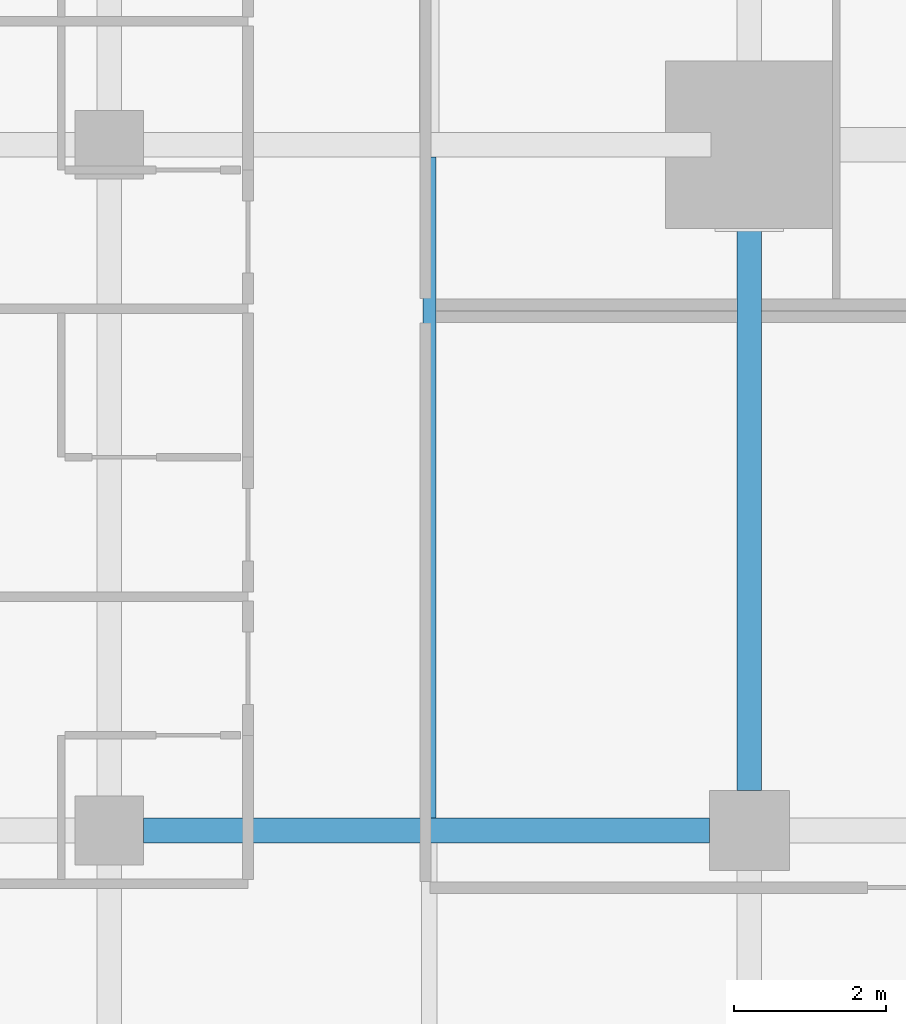
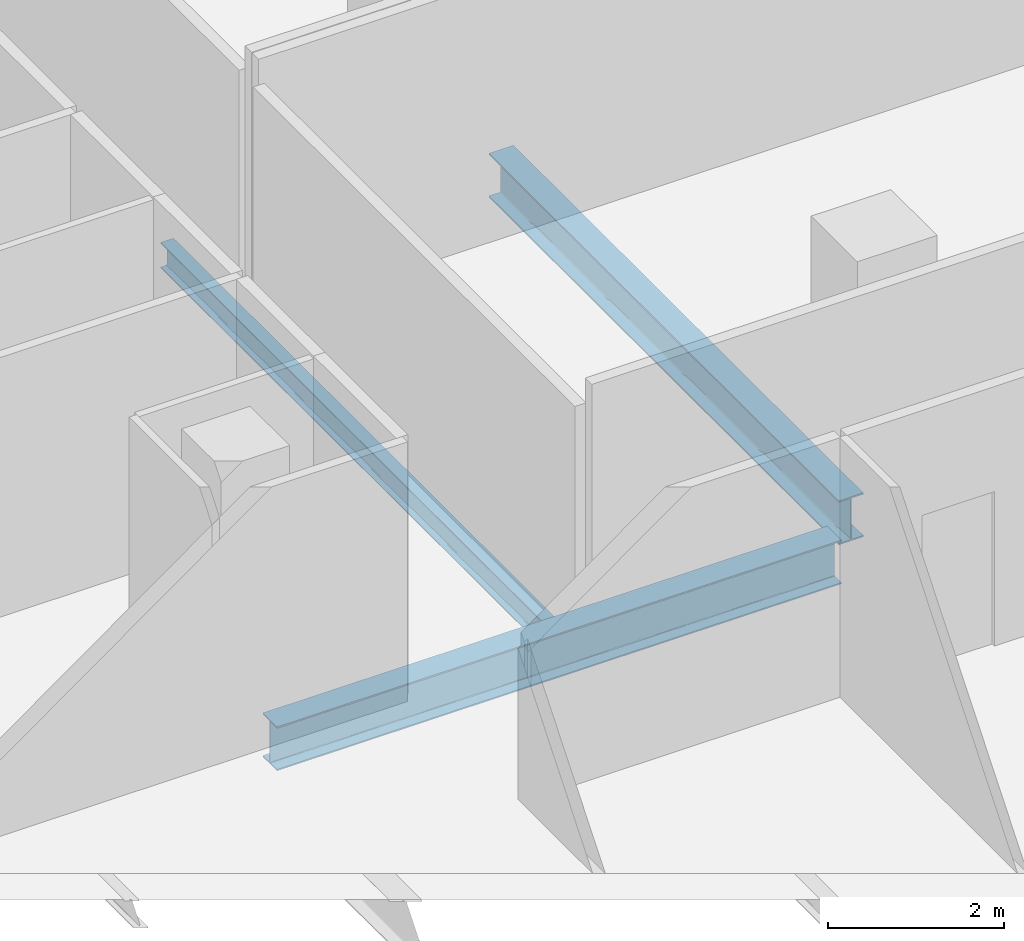
# One storey, part 11 of 40: 3 beams.
"""IFC4 building model written with IfcOpenShell, lengths in metres."""

import ifcopenshell
import ifcopenshell.guid

model = None  # the IFC model being written
_history = None  # IfcOwnerHistory: only IFC2X3 demands one
_inside = {}  # id of a spatial element -> (the spatial element, [elements in it])
_under = {}  # id of a project, library or spatial element -> (it, [spatial elements below it])
_declared = {}  # id of a project -> (the project, [libraries it declares])
_typed = {}  # id of a type object -> (the type object, [elements of that type])
_made_of = {}  # id of a material, layer set ... -> (it, [elements and type objects made of it])


def new_model(schema):
    """Start an empty IFC model of exactly this schema.

    Asked for "IFC4X3", IfcOpenShell would pick the latest addendum, in which some entities
    have other attributes; the version numbers below select the first issue.
    IFC2X3 requires an IfcOwnerHistory on every rooted entity: one is made here for all.
    """
    global model, _history
    if schema == "IFC4X3":
        model = ifcopenshell.file(schema_version=(4, 3, 0, 0))
    else:
        model = ifcopenshell.file(schema=schema)
    _inside.clear()
    _under.clear()
    _declared.clear()
    _typed.clear()
    _made_of.clear()
    _history = None
    if model.schema == "IFC2X3":
        org = make("IfcOrganization", Name="unknown")
        user = make(
            "IfcPersonAndOrganization",
            ThePerson=make("IfcPerson", FamilyName="unknown"),
            TheOrganization=org,
        )
        app = make(
            "IfcApplication",
            ApplicationDeveloper=org,
            Version="unknown",
            ApplicationFullName="unknown",
            ApplicationIdentifier="unknown",
        )
        _history = make(
            "IfcOwnerHistory",
            OwningUser=user,
            OwningApplication=app,
            ChangeAction="ADDED",
            CreationDate=0,
        )
    return model


def make(cls, **values):
    """One entity of the class cls with the attributes given. An attribute that is None is left unset."""
    return model.create_entity(
        cls, **{name: value for name, value in values.items() if value is not None}
    )


def rooted(cls, **values):
    """An entity with a GlobalId (a new one), such as an element, a storey or a relation."""
    return make(cls, GlobalId=ifcopenshell.guid.new(), OwnerHistory=_history, **values)


def si_unit(unit_type, name, prefix=None):
    """IfcSIUnit, for example si_unit("LENGTHUNIT", "METRE", prefix="MILLI")."""
    return make("IfcSIUnit", UnitType=unit_type, Prefix=prefix, Name=name)


def assignment(units):
    """IfcUnitAssignment: the units of a project."""
    return None if units is None else make("IfcUnitAssignment", Units=units)


def point(xyz):
    """IfcCartesianPoint."""
    return None if xyz is None else make("IfcCartesianPoint", Coordinates=xyz)


def direction(xyz):
    """IfcDirection."""
    return None if xyz is None else make("IfcDirection", DirectionRatios=xyz)


def frame(location, z_axis=None, x_axis=None):
    """IfcAxis2Placement3D, a coordinate frame: its origin and axes. An axis left out is left unset."""
    return make(
        "IfcAxis2Placement3D",
        Location=point(location),
        Axis=direction(z_axis),
        RefDirection=direction(x_axis),
    )


def frame_2d(location, x_axis=None):
    """IfcAxis2Placement2D, a coordinate frame in the plane: its origin and x axis."""
    return make(
        "IfcAxis2Placement2D", Location=point(location), RefDirection=direction(x_axis)
    )


def origin():
    """The frame at (0, 0, 0) with its axes left unset."""
    return frame((0.0, 0.0, 0.0))


def origin_2d():
    """The frame at (0, 0) in the plane with its x axis left unset."""
    return frame_2d((0.0, 0.0))


def place(relative_to, where):
    """IfcLocalPlacement: puts the frame where relative to a parent placement (None: the world)."""
    return make(
        "IfcLocalPlacement", PlacementRelTo=relative_to, RelativePlacement=where
    )


def context(
    kind, dimensions, precision=None, world=None, true_north=None, identifier=None
):
    """IfcGeometricRepresentationContext, for example the 3D "Model" context."""
    return make(
        "IfcGeometricRepresentationContext",
        ContextIdentifier=identifier,
        ContextType=kind,
        CoordinateSpaceDimension=dimensions,
        Precision=precision,
        WorldCoordinateSystem=world,
        TrueNorth=true_north,
    )


def subcontext(parent, identifier, kind, view, scale=None):
    """IfcGeometricRepresentationSubContext, for example "Body" below "Model"."""
    return make(
        "IfcGeometricRepresentationSubContext",
        ContextIdentifier=identifier,
        ContextType=kind,
        ParentContext=parent,
        TargetScale=scale,
        TargetView=view,
    )


def project(units=None, contexts=None):
    """IfcProject with its units and contexts."""
    return rooted(
        "IfcProject",
        Name="project",
        RepresentationContexts=contexts,
        UnitsInContext=assignment(units),
    )


def spatial(cls, under=None, at=None, **own):
    """A site, building, storey or space (cls), placed at a placement, below another one or the project."""
    s = rooted(cls, ObjectPlacement=at, **own)
    if under is not None:
        _under.setdefault(under.id(), (under, []))[1].append(s)
    return s


def profile(cls, at=None, kind="AREA", **sizes):
    """A parametric profile (cls). Its sizes go by their IFC names, for example OverallWidth=200.0."""
    return make(cls, ProfileType=kind, Position=at, **sizes)


def i_section(**sizes):
    """IfcIShapeProfileDef."""
    return profile("IfcIShapeProfileDef", **sizes)


def extrude(swept, where, along, depth):
    """IfcExtrudedAreaSolid: the profile swept, set in the frame where, extruded along a direction by depth."""
    return make(
        "IfcExtrudedAreaSolid",
        SweptArea=swept,
        Position=where,
        ExtrudedDirection=direction(along),
        Depth=depth,
    )


def shape(context_of_items, identifier, shape_type, items):
    """IfcShapeRepresentation: the items that make up one representation, for example the "Body"."""
    return make(
        "IfcShapeRepresentation",
        ContextOfItems=context_of_items,
        RepresentationIdentifier=identifier,
        RepresentationType=shape_type,
        Items=items,
    )


def material(Name=None, Category=None):
    """IfcMaterial."""
    return make("IfcMaterial", Name=Name, Category=Category)


def material_profile(
    of_material, cross_section, Name=None, Category=None, Priority=None
):
    """IfcMaterialProfile: a cross section and its material."""
    return make(
        "IfcMaterialProfile",
        Name=Name,
        Material=of_material,
        Profile=cross_section,
        Priority=Priority,
        Category=Category,
    )


def profile_set(profiles, Name=None, composite=None):
    """IfcMaterialProfileSet."""
    return make(
        "IfcMaterialProfileSet",
        Name=Name,
        MaterialProfiles=profiles,
        CompositeProfile=composite,
    )


def made_of(thing, what):
    """Note that an element or type object is made of a material, layer set ...; save() writes the relation."""
    if what is not None:
        _made_of.setdefault(what.id(), (what, []))[1].append(thing)
    return thing


def type_object(cls, material=None, **own):
    """A type object (cls), such as IfcWallType, which elements share."""
    return made_of(rooted(cls, **own), material)


def element(
    cls,
    number,
    at=None,
    inside=None,
    cuts=None,
    type_object=None,
    material=None,
    context=None,
    identifier="Body",
    shape_type=None,
    held_by="IfcProductDefinitionShape",
    body=None,
    shapes=None,
    **own,
):
    """One element of the class cls, such as IfcWall. Its Tag is "e" and its number.

    at: its placement. inside: the storey or other place that contains it. cuts: it is an
    opening in that element (IfcRelVoidsElement). A single representation is given by context,
    identifier, shape_type and body (its items); several are given by shapes. held_by: the class
    of the entity that holds the representations. save() writes the other relations.
    """
    e = rooted(cls, Tag="e%d" % number, ObjectPlacement=at, **own)
    if body is not None:
        shapes = [shape(context, identifier, shape_type, body)]
    if shapes is not None:
        e.Representation = make(held_by, Representations=shapes)
    if inside is not None:
        _inside.setdefault(inside.id(), (inside, []))[1].append(e)
    if cuts is not None:
        rooted(
            "IfcRelVoidsElement", RelatingBuildingElement=cuts, RelatedOpeningElement=e
        )
    if type_object is not None:
        _typed.setdefault(type_object.id(), (type_object, []))[1].append(e)
    return made_of(e, material)


def aggregate(whole, parts):
    """IfcRelAggregates: a whole, such as a stair, and the parts it consists of."""
    return rooted("IfcRelAggregates", RelatingObject=whole, RelatedObjects=parts)


def save(model, path):
    """Write the relations noted so far, then the file.

    IfcRelAggregates (storeys below a building ...), IfcRelContainedInSpatialStructure (elements
    in a storey), IfcRelDefinesByType, IfcRelAssociatesMaterial and IfcRelDeclares: one each for
    every whole, place, type object, material and project.
    """
    for whole, parts in _under.values():
        aggregate(whole, parts)
    for where, things in _inside.values():
        rooted(
            "IfcRelContainedInSpatialStructure",
            RelatedElements=things,
            RelatingStructure=where,
        )
    for kind, things in _typed.values():
        rooted("IfcRelDefinesByType", RelatedObjects=things, RelatingType=kind)
    for what, things in _made_of.values():
        rooted("IfcRelAssociatesMaterial", RelatedObjects=things, RelatingMaterial=what)
    for by, libraries in _declared.values():
        rooted("IfcRelDeclares", RelatingContext=by, RelatedDefinitions=libraries)
    model.write(path)


model = new_model("IFC4")

# Units and contexts
model_context = context("Model", 3, precision=1e-05, world=origin(), true_north=direction((0.0, 1.0)))
body_context = subcontext(model_context, "Body", "Model", "MODEL_VIEW")
ifc_project = project(units=[si_unit("LENGTHUNIT", "METRE"), si_unit("AREAUNIT", "SQUARE_METRE"), si_unit("VOLUMEUNIT", "CUBIC_METRE"), si_unit("PLANEANGLEUNIT", "RADIAN"), si_unit("MASSUNIT", "GRAM", prefix="KILO")], contexts=[model_context])

# Site, building, storey
site_placement = place(None, origin())
site = spatial("IfcSite", under=ifc_project, at=site_placement, CompositionType="ELEMENT")
building_placement = place(site_placement, origin())
building = spatial("IfcBuilding", under=site, at=building_placement, Name="Maruvema Waterfront Hotel and Observation Tower", CompositionType="ELEMENT")
storey_placement = place(building_placement, frame((0.0, 0.0, 103.949951171875)))
storey = spatial("IfcBuildingStorey", under=building, at=storey_placement, Name="L25", CompositionType="ELEMENT", Elevation=103.949951171875)

# Beams
ifc_material_1 = material(Name="Steel ASTM A572 Grade 50", Category="steel")
ifc_material_profile_1 = material_profile(ifc_material_1, i_section(OverallWidth=0.323974609375, OverallDepth=0.611083984375, WebThickness=0.0126953125, FlangeThickness=0.01904296875, FilletRadius=0.01806640625, at=origin_2d()), Name="W610x155.0")
ifc_profile_set_1 = profile_set([ifc_material_profile_1], Name="Steel ASTM A572 Grade 50")
beam_type_1 = type_object("IfcBeamType", Name="Primary Floor Girder W610x155.0", PredefinedType="BEAM", material=ifc_profile_set_1)
beam_1_placement = place(storey_placement, frame((17.25, 18.0, -0.54541015625), z_axis=(1.0, 0.0, 0.0), x_axis=(0.0, 1.0, 0.0)))
element("IfcBeam", 1, at=beam_1_placement, inside=storey, type_object=beam_type_1, Name="L25 Floor Girder EW-14", PredefinedType="BEAM", context=body_context, shape_type="SweptSolid", body=[
    extrude(i_section(OverallWidth=0.323974609375, OverallDepth=0.611083984375, WebThickness=0.0126953125, FlangeThickness=0.01904296875, FilletRadius=0.01806640625, at=origin_2d()), origin(), (0.0, 0.0, 1.0), 7.425048828125),
])
beam_2_placement = place(storey_placement, frame((25.199951171875, 18.52490234375, -0.54541015625), z_axis=(0.0, 1.0, 0.0), x_axis=(-1.0, 0.0, 0.0)))
element("IfcBeam", 2, at=beam_2_placement, inside=storey, type_object=beam_type_1, Name="L25 Floor Girder NS-13", PredefinedType="BEAM", context=body_context, shape_type="SweptSolid", body=[
    extrude(i_section(OverallWidth=0.323974609375, OverallDepth=0.611083984375, WebThickness=0.0126953125, FlangeThickness=0.01904296875, FilletRadius=0.01806640625, at=origin_2d()), origin(), (0.0, 0.0, 1.0), 7.97509765625),
])
ifc_material_2 = material(Name="Steel ASTM A572 Grade 50", Category="steel")
ifc_material_profile_2 = material_profile(ifc_material_2, i_section(OverallWidth=0.1708984375, OverallDepth=0.35498046875, WebThickness=0.007080078125, FlangeThickness=0.01171875, FilletRadius=0.014892578125, at=origin_2d()), Name="W360x51.0")
ifc_profile_set_2 = profile_set([ifc_material_profile_2], Name="Steel ASTM A572 Grade 50")
beam_type_2 = type_object("IfcBeamType", Name="Secondary Floor Joist W360x51.0", PredefinedType="JOIST", material=ifc_profile_set_2)
beam_3_placement = place(storey_placement, frame((21.0, 18.162109375, -0.41748046875), z_axis=(0.0, 1.0, 0.0), x_axis=(-1.0, 0.0, 0.0)))
element("IfcBeam", 3, at=beam_3_placement, inside=storey, type_object=beam_type_2, Name="L25 Secondary Floor Joist JS-07", PredefinedType="JOIST", context=body_context, shape_type="SweptSolid", body=[
    extrude(i_section(OverallWidth=0.1708984375, OverallDepth=0.35498046875, WebThickness=0.007080078125, FlangeThickness=0.01171875, FilletRadius=0.014892578125, at=origin_2d()), origin(), (0.0, 0.0, 1.0), 8.67578125),
])

save(model, "model.ifc")
